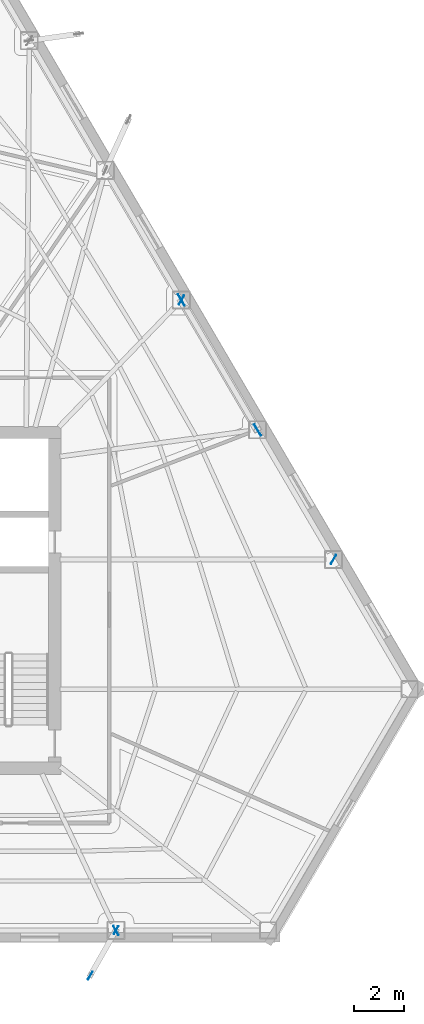
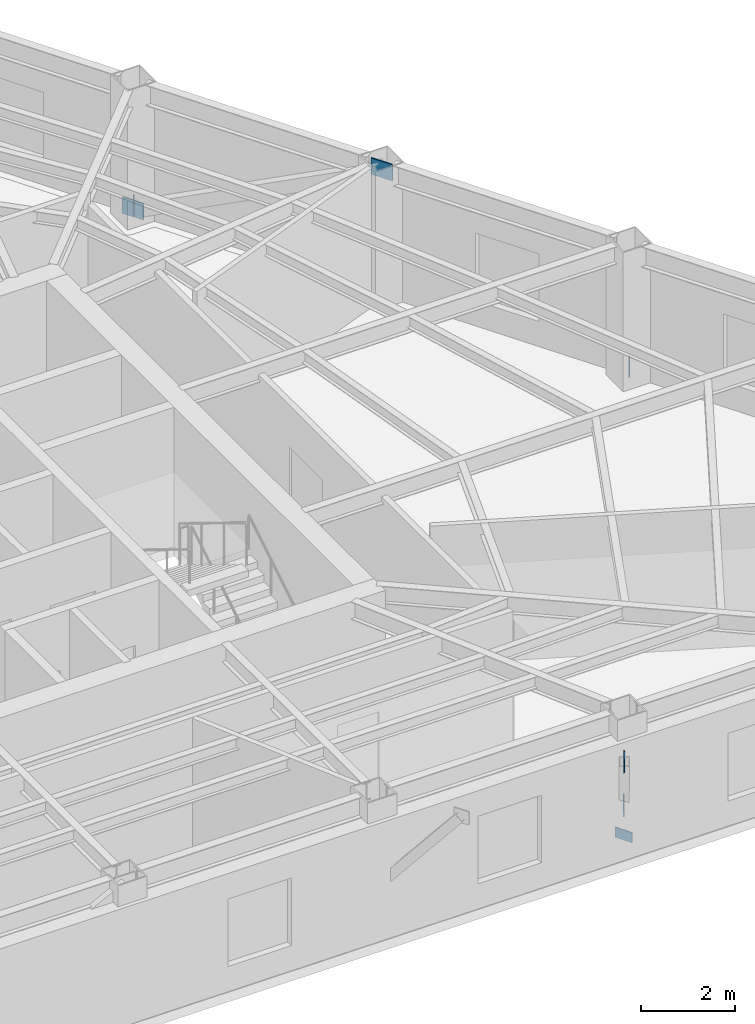
# One storey, part 6 of 13: 7 plates.
"""IFC4 building model written with IfcOpenShell, lengths in metres."""

from ifc_helpers import new_model, si_unit, direction, frame, origin, origin_2d, place, context, subcontext, project, spatial, rectangle, extrude, material, layer, layer_set, type_object, element, save


model = new_model("IFC4")

# Units and contexts
model_context = context("Model", 3, precision=1e-05, world=origin(), true_north=direction((0.0, 1.0)))
body_context = subcontext(model_context, "Body", "Model", "MODEL_VIEW")
ifc_project = project(units=[si_unit("LENGTHUNIT", "METRE"), si_unit("AREAUNIT", "SQUARE_METRE"), si_unit("VOLUMEUNIT", "CUBIC_METRE"), si_unit("PLANEANGLEUNIT", "RADIAN"), si_unit("MASSUNIT", "GRAM", prefix="KILO")], contexts=[model_context])

# Site, building, storey
site_placement = place(None, origin())
site = spatial("IfcSite", under=ifc_project, at=site_placement, CompositionType="ELEMENT")
building_placement = place(site_placement, origin())
building = spatial("IfcBuilding", under=site, at=building_placement, Name="Kavelnor Concourse Tower", CompositionType="ELEMENT")
storey_placement = place(building_placement, frame((0.0, 0.0, 131.699951171875)))
storey = spatial("IfcBuildingStorey", under=building, at=storey_placement, Name="L33", CompositionType="ELEMENT", Elevation=131.699951171875)

# Plates
ifc_material = material(Name="Steel Grade 350", Category="steel")
ifc_layer_1 = layer(ifc_material, 0.028076171875, Name="Steel Grade 350")
ifc_layer_set_1 = layer_set([ifc_layer_1], Name="Steel Grade 350")
plate_type_1 = type_object("IfcPlateType", Name="PL-GUSSET-FOLD", PredefinedType="USERDEFINED", material=ifc_layer_set_1)
for number, where, z_axis, x_axis, name in (
    (1, (50.239990234375, 2.84423828125, 0.8798828125), (0.0, 0.0, 1.0), (-0.494700455876, -0.869063552887, 0.0), "L33 Balcony Strut Gusset GP4 1-B End Gusset A"),
    (2, (49.197998046875, 1.013427734375, 3.48486328125), (0.0, 0.0, 1.0), (-0.494700455876, -0.869063552887, 0.0), "L33 Balcony Strut Gusset GP4 1-B End Gusset B"),
):
    element("IfcPlate", number, at=place(storey_placement, frame(where, z_axis=z_axis, x_axis=x_axis)), inside=storey, type_object=plate_type_1, Name=name, ObjectType="GUSSET_PLATE", PredefinedType="USERDEFINED", context=body_context, shape_type="SweptSolid", body=[
        extrude(rectangle(XDim=0.360107421875, YDim=0.028076171875, at=origin_2d()), origin(), (0.0, 0.0, 1.0), 0.340087890625),
    ])
ifc_layer_2 = layer(ifc_material, 0.031982421875, Name="Steel Grade 350")
ifc_layer_set_2 = layer_set([ifc_layer_2], Name="Steel Grade 350")
plate_type_2 = type_object("IfcPlateType", Name="PL-GUSSET-TUBE-Z1", PredefinedType="USERDEFINED", material=ifc_layer_set_2)
for number, where, z_axis, x_axis, name in (
    (3, (52.860107421875, 28.185791015625, 0.010009765625), (0.0, 0.0, 1.0), (0.505883219381, -0.862601975623, 0.0), "L33 Tube Brace Gusset GP3 F2-B2 End Gusset A"),
    (4, (55.929931640625, 22.950927734375, 3.12353515625), (0.0, 0.0, 1.0), (0.505883219381, -0.862601975623, 0.0), "L33 Tube Brace Gusset GP3 F2-B2 End Gusset B"),
):
    element("IfcPlate", number, at=place(storey_placement, frame(where, z_axis=z_axis, x_axis=x_axis)), inside=storey, type_object=plate_type_2, Name=name, ObjectType="GUSSET_PLATE", PredefinedType="USERDEFINED", context=body_context, shape_type="SweptSolid", body=[
        extrude(rectangle(XDim=0.52001953125, YDim=0.031982421875, at=origin_2d()), origin(), (0.0, 0.0, 1.0), 0.419921875),
    ])
ifc_layer_3 = layer(ifc_material, 0.02490234375, Name="Steel Grade 350")
ifc_layer_set_3 = layer_set([ifc_layer_3], Name="Steel Grade 350")
plate_type_3 = type_object("IfcPlateType", Name="PL-SPLICE-FLANGE", PredefinedType="SHEET", material=ifc_layer_set_3)
for number, where, z_axis, x_axis, name in (
    (5, (50.234130859375, 2.833740234375, 0.169921875), (0.0, 0.0, 1.0), (-0.5, 0.866025403784, 0.0), "L33 Column Flange Splice Plate F1-B5"),
    (6, (58.981201171875, 17.747314453125, 0.169921875), (0.0, 0.0, 1.0), (-0.5, -0.866025403784, 0.0), "L33 Column Flange Splice Plate F2-B1"),
    (7, (52.8662109375, 28.175537109375, 0.169921875), (0.0, 0.0, 1.0), (-0.5, -0.866025403784, 0.0), "L33 Column Flange Splice Plate F2-B3"),
):
    element("IfcPlate", number, at=place(storey_placement, frame(where, z_axis=z_axis, x_axis=x_axis)), inside=storey, type_object=plate_type_3, Name=name, PredefinedType="SHEET", context=body_context, shape_type="SweptSolid", body=[
        extrude(rectangle(XDim=0.419921875, YDim=0.02490234375, at=origin_2d()), origin(), (0.0, 0.0, 1.0), 0.260009765625),
    ])

save(model, "model.ifc")
